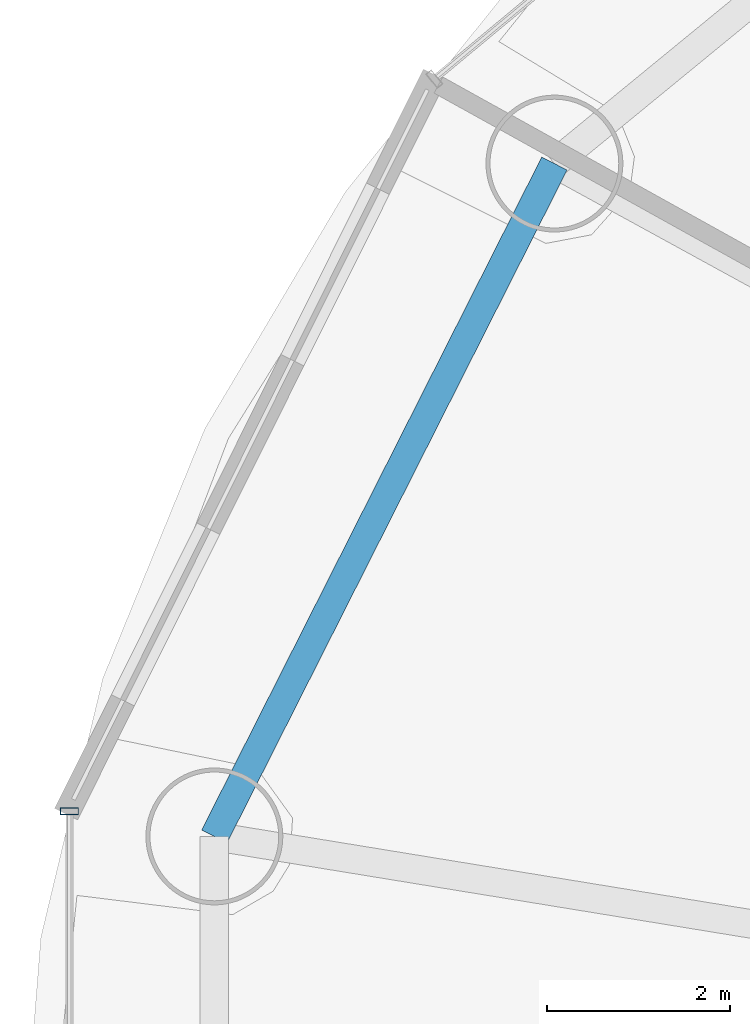
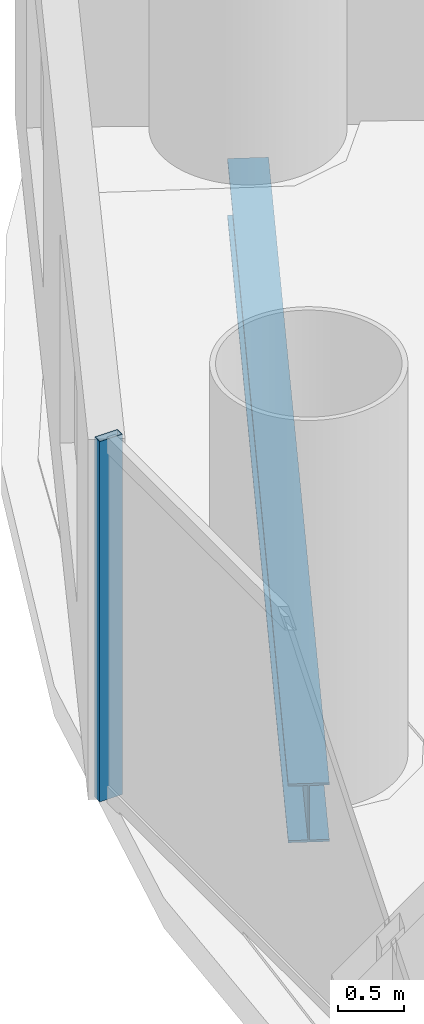
# One storey, part 8 of 28: 1 beam, 1 member, 1 element without a shape of its own.
"""IFC4 building model written with IfcOpenShell, lengths in metres."""

from ifc_helpers import new_model, si_unit, direction, frame, origin, origin_2d, place, context, subcontext, project, spatial, hollow_rectangle, i_section, extrude, source, transform, mapped, material, material_profile, profile_set, type_object, element, aggregate, save


model = new_model("IFC4")

# Units and contexts
model_context = context("Model", 3, precision=1e-05, world=origin(), true_north=direction((-0.2419218956, 0.970295726276)))
body_context = subcontext(model_context, "Body", "Model", "MODEL_VIEW")
ifc_project = project(units=[si_unit("LENGTHUNIT", "METRE"), si_unit("AREAUNIT", "SQUARE_METRE"), si_unit("VOLUMEUNIT", "CUBIC_METRE"), si_unit("PLANEANGLEUNIT", "RADIAN"), si_unit("MASSUNIT", "GRAM", prefix="KILO")], contexts=[model_context])

# Site, building, storey
site_placement = place(None, origin())
site = spatial("IfcSite", under=ifc_project, at=site_placement, CompositionType="ELEMENT")
building_placement = place(site_placement, origin())
building = spatial("IfcBuilding", under=site, at=building_placement, Name="Cobrevalo Terracotta Tower", CompositionType="ELEMENT")
storey_placement = place(building_placement, frame((0.0, 0.0, 105.0)))
storey = spatial("IfcBuildingStorey", under=building, at=storey_placement, Name="L27", CompositionType="ELEMENT", Elevation=105.0)

# Beam
ifc_material_1 = material(Name="Steel S355", Category="steel")
ifc_material_profile_1 = material_profile(ifc_material_1, i_section(OverallWidth=0.31201171875, OverallDepth=0.54296875, WebThickness=0.0126953125, FlangeThickness=0.020263671875, at=origin_2d()), Name="W 530x150")
ifc_profile_set_1 = profile_set([ifc_material_profile_1], Name="Steel S355")
beam_type = type_object("IfcBeamType", Name="Structural Spandrel W 530x150 (Steel S355)", PredefinedType="SPANDREL", material=ifc_profile_set_1)
beam_placement = place(storey_placement, frame((17.2548828125, 38.161376953125, -0.54638671875), z_axis=(-0.451051982172, -0.892497680321, 0.0), x_axis=(0.892497680321, -0.451051982172, 0.0)))
element("IfcBeam", 1, at=beam_placement, inside=storey, type_object=beam_type, Name="L27 perimeter ring spandrel 07", PredefinedType="SPANDREL", context=body_context, shape_type="SweptSolid", body=[
    extrude(i_section(OverallWidth=0.31201171875, OverallDepth=0.54296875, WebThickness=0.0126953125, FlangeThickness=0.020263671875, at=origin_2d()), origin(), (0.0, 0.0, 1.0), 8.259765625),
])

# Curtain wall, member
ifc_material_2 = material(Name="Anodized aluminium", Category="aluminium")
curtain_wall_type = type_object("IfcCurtainWallType", Name="Lower-tower unitised acoustic low-E curtain wall CW-U1", PredefinedType="NOTDEFINED", material=ifc_material_2)
curtain_wall_placement = place(storey_placement, origin())
curtain_wall = element("IfcCurtainWall", 2, at=curtain_wall_placement, inside=storey, type_object=curtain_wall_type, Name="L27 curtain wall CW-L27-S08", PredefinedType="NOTDEFINED")
ifc_material_profile_2 = material_profile(ifc_material_2, hollow_rectangle(XDim=0.074951171875, YDim=0.199951171875, WallThickness=0.0048828125, at=origin_2d()), Name="CWM 75x200")
ifc_profile_set_2 = profile_set([ifc_material_profile_2], Name="Anodized aluminium")
member_type = type_object("IfcMemberType", Name="Lower/mid tower unitised mullion 75x200", PredefinedType="MULLION", material=ifc_profile_set_2)
shared_shape = source(origin(), body_context, "Body", "SweptSolid", [
    extrude(hollow_rectangle(XDim=0.074951171875, YDim=0.199951171875, WallThickness=0.0048828125, at=origin_2d()), origin(), (0.0, 0.0, 1.0), 3.324951171875),
])
member_placement = place(storey_placement, frame((11.9404296875, 31.065673828125, 0.0), z_axis=(0.0, 0.0, 1.0), x_axis=(0.0, -1.0, 0.0)))
member = element("IfcMember", 3, at=member_placement, type_object=member_type, Name="CW-L27-S08 vertical mullion 01", PredefinedType="MULLION", context=body_context, shape_type="MappedRepresentation", body=[
    mapped(shared_shape, transform((0.0, 0.0, 0.0), scale=1.0)),
])
aggregate(curtain_wall, [member])

save(model, "model.ifc")
